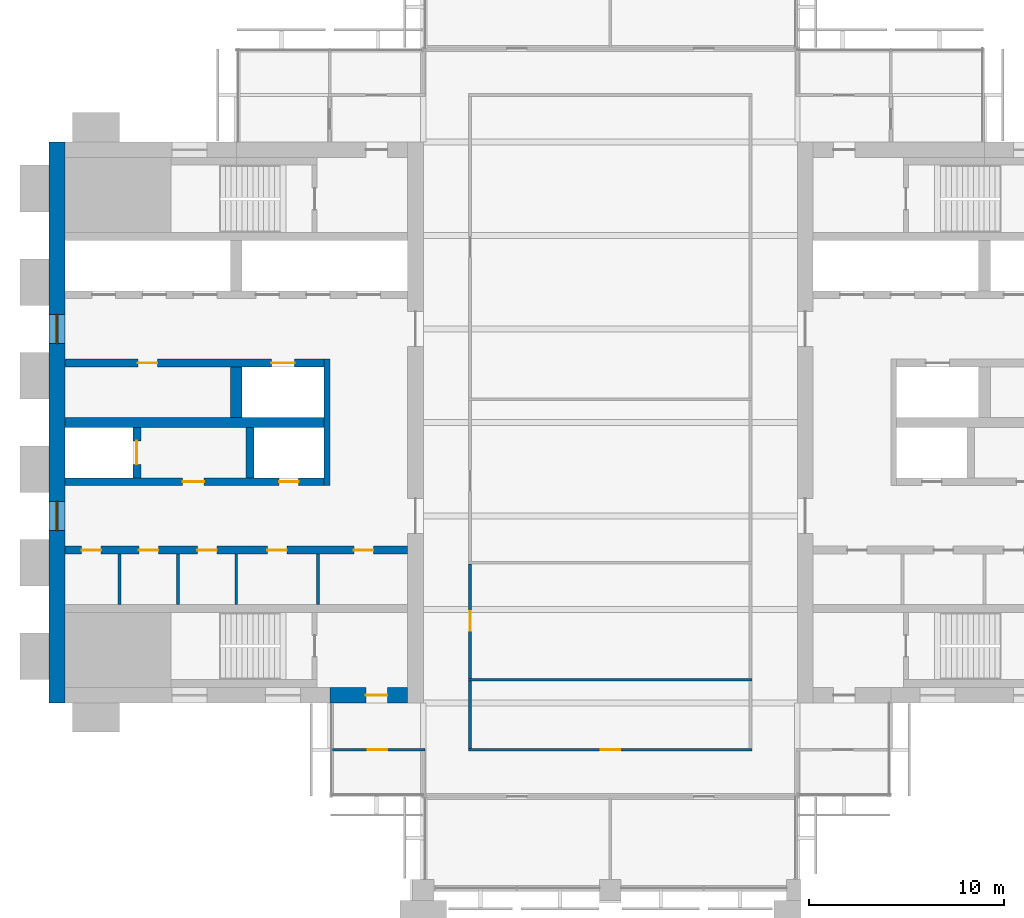
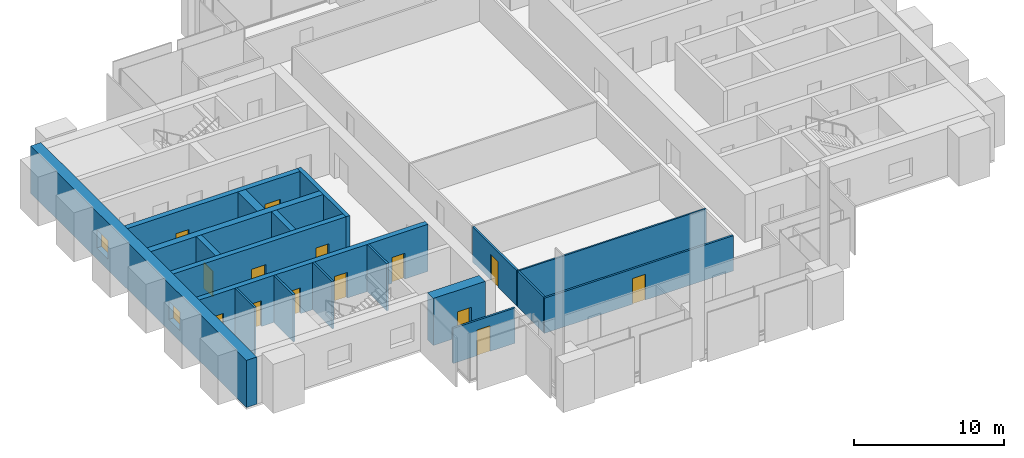
# One storey, part 8 of 13: 19 walls, 14 doors, 2 windows, 16 openings.
"""IFC4 building model written with IfcOpenShell, lengths in metres."""

from ifc_helpers import new_model, si_unit, direction, frame, frame_2d, origin, place, context, subcontext, project, spatial, rectangle, extrude, material, layer, layer_set, type_object, element, fill, save


model = new_model("IFC4")

# Units and contexts
model_context = context("Model", 3, precision=1e-05, world=origin(), true_north=direction((0.0, 1.0)))
body_context = subcontext(model_context, "Body", "Model", "MODEL_VIEW")
ifc_project = project(units=[si_unit("LENGTHUNIT", "METRE"), si_unit("AREAUNIT", "SQUARE_METRE"), si_unit("VOLUMEUNIT", "CUBIC_METRE"), si_unit("PLANEANGLEUNIT", "RADIAN"), si_unit("MASSUNIT", "GRAM", prefix="KILO")], contexts=[model_context])

# Site, building, storey
site_placement = place(None, origin())
site = spatial("IfcSite", under=ifc_project, at=site_placement, CompositionType="ELEMENT")
building_placement = place(site_placement, origin())
building = spatial("IfcBuilding", under=site, at=building_placement, Name="Baori Bourse Tower", CompositionType="ELEMENT")
storey_placement = place(building_placement, frame((0.0, 0.0, 249.199951171875)))
storey = spatial("IfcBuildingStorey", under=building, at=storey_placement, Name="L55", CompositionType="ELEMENT", Elevation=249.199951171875)

# Walls
ifc_material_1 = material(Name="Blockwork partition", Category="masonry")
ifc_layer_1 = layer(ifc_material_1, 0.14990234375)
ifc_layer_set_1 = layer_set([ifc_layer_1], Name="Core partition 150")
wall_type_1 = type_object("IfcWallType", Name="Core partition 150", PredefinedType="PARTITIONING", material=ifc_layer_set_1)
for number, where, z_axis, x_axis, name in (
    (1, (3.60009765625, 14.64990234375, 0.0), (0.0, 0.0, 1.0), (0.0, 1.0, 0.0), "Partition wall W09"),
    (2, (6.60009765625, 14.64990234375, 0.0), (0.0, 0.0, 1.0), (0.0, 1.0, 0.0), "Partition wall W10"),
    (3, (9.60009765625, 14.64990234375, 0.0), (0.0, 0.0, 1.0), (0.0, 1.0, 0.0), "Partition wall W11"),
    (4, (13.800048828125, 14.64990234375, 0.0), (0.0, 0.0, 1.0), (0.0, 1.0, 0.0), "Partition wall W12"),
):
    element("IfcWall", number, at=place(storey_placement, frame(where, z_axis=z_axis, x_axis=x_axis)), inside=storey, type_object=wall_type_1, Name=name, PredefinedType="PARTITIONING", context=body_context, shape_type="SweptSolid", body=[
        extrude(rectangle(XDim=2.60009765625, YDim=0.14990234375, at=frame_2d((1.300048828125, 0.0))), origin(), (0.0, 0.0, 1.0), 3.840087890625),
    ])

# Wall, openings, windows
ifc_material_2 = material(Name="Concrete f'c 50 MPa", Category="concrete")
ifc_layer_2 = layer(ifc_material_2, 0.800048828125)
ifc_layer_set_2 = layer_set([ifc_layer_2], Name="Core wall 800 f'c 50")
wall_type_2 = type_object("IfcWallType", Name="Core wall 800 f'c 50", PredefinedType="SHEAR", material=ifc_layer_set_2)
wall_1_placement = place(storey_placement, frame((0.39990234375, 9.60009765625, 0.0), z_axis=(0.0, 0.0, 1.0), x_axis=(0.0, 1.0, 0.0)))
wall_1 = element("IfcWall", 5, at=wall_1_placement, inside=storey, type_object=wall_type_2, Name="Core wall W01", PredefinedType="SHEAR", context=body_context, shape_type="SweptSolid", body=[
    extrude(rectangle(XDim=28.7998046875, YDim=0.800048828125, at=frame_2d((14.39990234375, 0.0))), origin(), (0.0, 0.0, 1.0), 3.840087890625),
])
opening_1_placement = place(wall_1_placement, frame((8.85009765625, 0.0, 0.89990234375)))
opening_1 = element("IfcOpeningElement", 6, at=opening_1_placement, cuts=wall_1, Name="Opening L55-KW101", PredefinedType="OPENING", context=body_context, shape_type="SweptSolid", body=[
    extrude(rectangle(XDim=1.5, YDim=1.5, at=frame_2d((0.75, 0.75))), frame((0.0, 0.409912109375, 0.0), z_axis=(0.0, -1.0, 0.0), x_axis=(1.0, 0.0, 0.0)), (0.0, 0.0, 1.0), 0.820068359375),
])
opening_2_placement = place(wall_1_placement, frame((18.449951171875, 0.0, 0.89990234375)))
opening_2 = element("IfcOpeningElement", 7, at=opening_2_placement, cuts=wall_1, Name="Opening L55-KW102", PredefinedType="OPENING", context=body_context, shape_type="SweptSolid", body=[
    extrude(rectangle(XDim=1.5, YDim=1.5, at=frame_2d((0.75, 0.75))), frame((0.0, 0.409912109375, 0.0), z_axis=(0.0, -1.0, 0.0), x_axis=(1.0, 0.0, 0.0)), (0.0, 0.0, 1.0), 0.820068359375),
])
ifc_material_3 = material(Name="Pale anodised aluminium", Category="aluminium")
window_type = type_object("IfcWindowType", Name="Lobby window 1500 x 1500", PartitioningType="SINGLE_PANEL", PredefinedType="WINDOW", material=ifc_material_3)
window_1_placement = place(opening_1_placement, origin())
window_1 = element("IfcWindow", 8, at=window_1_placement, inside=storey, type_object=window_type, Name="Outer wall window W L55 1", OverallHeight=1.5, OverallWidth=1.5, PartitioningType="SINGLE_PANEL", PredefinedType="WINDOW", context=body_context, shape_type="SweptSolid", body=[
    extrude(rectangle(XDim=1.5, YDim=1.5, at=frame_2d((0.75, 0.75))), frame((0.0, 0.030029296875, 0.0), z_axis=(0.0, -1.0, 0.0), x_axis=(1.0, 0.0, 0.0)), (0.0, 0.0, 1.0), 0.06005859375),
])
fill(opening_1, window_1)
window_2_placement = place(opening_2_placement, origin())
window_2 = element("IfcWindow", 9, at=window_2_placement, inside=storey, type_object=window_type, Name="Outer wall window W L55 2", OverallHeight=1.5, OverallWidth=1.5, PartitioningType="SINGLE_PANEL", PredefinedType="WINDOW", context=body_context, shape_type="SweptSolid", body=[
    extrude(rectangle(XDim=1.5, YDim=1.5, at=frame_2d((0.75, 0.75))), frame((0.0, 0.030029296875, 0.0), z_axis=(0.0, -1.0, 0.0), x_axis=(1.0, 0.0, 0.0)), (0.0, 0.0, 1.0), 0.06005859375),
])
fill(opening_2, window_2)

# Wall, opening, door
wall_2_placement = place(storey_placement, frame((18.39990234375, 10.0, 0.0), z_axis=(0.0, 0.0, 1.0), x_axis=(-1.0, 0.0, 0.0)))
wall_2 = element("IfcWall", 10, at=wall_2_placement, inside=storey, type_object=wall_type_2, Name="Core wall W03", PredefinedType="SHEAR", context=body_context, shape_type="SweptSolid", body=[
    extrude(rectangle(XDim=4.0, YDim=0.800048828125, at=frame_2d((2.0, 0.0))), origin(), (0.0, 0.0, 1.0), 3.840087890625),
])
opening_3_placement = place(wall_2_placement, frame((1.050048828125, 0.0, 0.0)))
opening_3 = element("IfcOpeningElement", 11, at=opening_3_placement, cuts=wall_2, Name="Opening L55-D102", PredefinedType="OPENING", context=body_context, shape_type="SweptSolid", body=[
    extrude(rectangle(XDim=1.10009765625, YDim=2.10009765625, at=frame_2d((0.550048828125, 1.050048828125))), frame((0.0, 0.409912109375, 0.0), z_axis=(0.0, -1.0, 0.0), x_axis=(1.0, 0.0, 0.0)), (0.0, 0.0, 1.0), 0.820068359375),
])
ifc_material_4 = material(Name="Painted steel door", Category="steel")
door_type_1 = type_object("IfcDoorType", Name="Stair door 1100", OperationType="SINGLE_SWING_LEFT", PredefinedType="DOOR", material=ifc_material_4)
door_1_placement = place(opening_3_placement, origin())
door_1 = element("IfcDoor", 12, at=door_1_placement, inside=storey, type_object=door_type_1, Name="Stair vestibule door A W L55", OperationType="SINGLE_SWING_LEFT", OverallHeight=2.10009765625, OverallWidth=1.10009765625, PredefinedType="DOOR", context=body_context, shape_type="SweptSolid", body=[
    extrude(rectangle(XDim=1.10009765625, YDim=2.10009765625, at=frame_2d((0.550048828125, 1.050048828125))), frame((0.0, 0.02490234375, 0.0), z_axis=(0.0, -1.0, 0.0), x_axis=(1.0, 0.0, 0.0)), (0.0, 0.0, 1.0), 0.050048828125),
])
fill(opening_3, door_1)

ifc_material_5 = material(Name="Gypsum board partition")
ifc_layer_3 = layer(ifc_material_5, 0.14990234375)
ifc_layer_set_3 = layer_set([ifc_layer_3], Name="Corridor partition 150")
wall_type_3 = type_object("IfcWallType", Name="Corridor partition 150", PredefinedType="PARTITIONING", material=ifc_layer_set_3)
wall_3_placement = place(storey_placement, frame((14.5, 7.199951171875, 0.0), z_axis=(0.0, 0.0, 1.0), x_axis=(1.0, 0.0, 0.0)))
wall_3 = element("IfcWall", 13, at=wall_3_placement, inside=storey, type_object=wall_type_3, Name="Partition", PredefinedType="PARTITIONING", context=body_context, shape_type="SweptSolid", body=[
    extrude(rectangle(XDim=4.77490234375, YDim=0.14990234375, at=frame_2d((2.387451171875, 0.0))), origin(), (0.0, 0.0, 1.0), 2.869873046875),
])
opening_4_placement = place(wall_3_placement, frame((1.85009765625, 0.0, 0.0)))
opening_4 = element("IfcOpeningElement", 14, at=opening_4_placement, cuts=wall_3, Name="Opening L55-D03", PredefinedType="OPENING", context=body_context, shape_type="SweptSolid", body=[
    extrude(rectangle(XDim=1.0, YDim=2.10009765625, at=frame_2d((0.5, 1.050048828125))), frame((0.0, 0.0849609375, 0.0), z_axis=(0.0, -1.0, 0.0), x_axis=(1.0, 0.0, 0.0)), (0.0, 0.0, 1.0), 0.169921875),
])
ifc_material_6 = material(Name="Timber door leaf", Category="wood")
door_type_2 = type_object("IfcDoorType", Name="Door 1000 x 2100", OperationType="SINGLE_SWING_LEFT", PredefinedType="DOOR", material=ifc_material_6)
door_2_placement = place(opening_4_placement, origin())
door_2 = element("IfcDoor", 15, at=door_2_placement, inside=storey, type_object=door_type_2, Name="Door", OperationType="SINGLE_SWING_LEFT", OverallHeight=2.10009765625, OverallWidth=1.0, PredefinedType="DOOR", context=body_context, shape_type="SweptSolid", body=[
    extrude(rectangle(XDim=1.0, YDim=2.10009765625, at=frame_2d((0.5, 1.050048828125))), frame((0.0, 0.02490234375, 0.0), z_axis=(0.0, -1.0, 0.0), x_axis=(1.0, 0.0, 0.0)), (0.0, 0.0, 1.0), 0.050048828125),
])
fill(opening_4, door_2)

wall_4_placement = place(storey_placement, frame((21.52490234375, 7.199951171875, 0.0), z_axis=(0.0, 0.0, 1.0), x_axis=(1.0, 0.0, 0.0)))
wall_4 = element("IfcWall", 16, at=wall_4_placement, inside=storey, type_object=wall_type_3, Name="Partition", PredefinedType="PARTITIONING", context=body_context, shape_type="SweptSolid", body=[
    extrude(rectangle(XDim=14.550048828125, YDim=0.14990234375, at=frame_2d((7.27490234375, 0.0))), origin(), (0.0, 0.0, 1.0), 2.869873046875),
])
opening_5_placement = place(wall_4_placement, frame((6.77490234375, 0.0, 0.0)))
opening_5 = element("IfcOpeningElement", 17, at=opening_5_placement, cuts=wall_4, Name="Opening L55-D04", PredefinedType="OPENING", context=body_context, shape_type="SweptSolid", body=[
    extrude(rectangle(XDim=1.0, YDim=2.10009765625, at=frame_2d((0.5, 1.050048828125))), frame((0.0, 0.0849609375, 0.0), z_axis=(0.0, -1.0, 0.0), x_axis=(1.0, 0.0, 0.0)), (0.0, 0.0, 1.0), 0.169921875),
])
door_3_placement = place(opening_5_placement, origin())
door_3 = element("IfcDoor", 18, at=door_3_placement, inside=storey, type_object=door_type_2, Name="Door", OperationType="SINGLE_SWING_RIGHT", OverallHeight=2.10009765625, OverallWidth=1.0, PredefinedType="DOOR", context=body_context, shape_type="SweptSolid", body=[
    extrude(rectangle(XDim=1.0, YDim=2.10009765625, at=frame_2d((0.5, 1.050048828125))), frame((0.0, 0.02490234375, 0.0), z_axis=(0.0, -1.0, 0.0), x_axis=(1.0, 0.0, 0.0)), (0.0, 0.0, 1.0), 0.050048828125),
])
fill(opening_5, door_3)

# Wall
wall_5_placement = place(storey_placement, frame((21.60009765625, 7.27490234375, 0.0), z_axis=(0.0, 0.0, 1.0), x_axis=(0.0, 1.0, 0.0)))
element("IfcWall", 19, at=wall_5_placement, inside=storey, type_object=wall_type_3, Name="Partition", PredefinedType="PARTITIONING", context=body_context, shape_type="SweptSolid", body=[
    extrude(rectangle(XDim=3.462646484375, YDim=0.14990234375, at=frame_2d((1.7314453125, 0.0))), origin(), (0.0, 0.0, 1.0), 2.869873046875),
])

# Wall, opening, door
wall_6_placement = place(storey_placement, frame((21.60009765625, 10.862548828125, 0.0), z_axis=(0.0, 0.0, 1.0), x_axis=(0.0, 1.0, 0.0)))
wall_6 = element("IfcWall", 20, at=wall_6_placement, inside=storey, type_object=wall_type_3, Name="Partition", PredefinedType="PARTITIONING", context=body_context, shape_type="SweptSolid", body=[
    extrude(rectangle(XDim=5.875, YDim=0.14990234375, at=frame_2d((2.9375, 0.0))), origin(), (0.0, 0.0, 1.0), 2.869873046875),
])
opening_6_placement = place(wall_6_placement, frame((2.4375, 0.0, 0.0)))
opening_6 = element("IfcOpeningElement", 21, at=opening_6_placement, cuts=wall_6, Name="Opening L55-D11", PredefinedType="OPENING", context=body_context, shape_type="SweptSolid", body=[
    extrude(rectangle(XDim=1.0, YDim=2.10009765625, at=frame_2d((0.5, 1.050048828125))), frame((0.0, 0.0849609375, 0.0), z_axis=(0.0, -1.0, 0.0), x_axis=(1.0, 0.0, 0.0)), (0.0, 0.0, 1.0), 0.169921875),
])
door_4_placement = place(opening_6_placement, origin())
door_4 = element("IfcDoor", 22, at=door_4_placement, inside=storey, type_object=door_type_2, Name="Door", OperationType="SINGLE_SWING_LEFT", OverallHeight=2.10009765625, OverallWidth=1.0, PredefinedType="DOOR", context=body_context, shape_type="SweptSolid", body=[
    extrude(rectangle(XDim=1.0, YDim=2.10009765625, at=frame_2d((0.5, 1.050048828125))), frame((0.0, 0.02490234375, 0.0), z_axis=(0.0, -1.0, 0.0), x_axis=(1.0, 0.0, 0.0)), (0.0, 0.0, 1.0), 0.050048828125),
])
fill(opening_6, door_4)

# Walls
ifc_material_7 = material(Name="Gypsum board partition")
ifc_layer_4 = layer(ifc_material_7, 0.125)
ifc_layer_set_4 = layer_set([ifc_layer_4], Name="Partition 125")
wall_type_4 = type_object("IfcWallType", Name="Partition 125", PredefinedType="PARTITIONING", material=ifc_layer_set_4)
wall_7_placement = place(storey_placement, frame((21.52490234375, 10.800048828125, 0.0), z_axis=(0.0, 0.0, 1.0), x_axis=(1.0, 0.0, 0.0)))
element("IfcWall", 23, at=wall_7_placement, inside=storey, type_object=wall_type_4, Name="Partition", PredefinedType="PARTITIONING", context=body_context, shape_type="SweptSolid", body=[
    extrude(rectangle(XDim=14.550048828125, YDim=0.125, at=frame_2d((7.27490234375, 0.0))), origin(), (0.0, 0.0, 1.0), 2.869873046875),
])
ifc_material_8 = material(Name="Concrete f'c 50 MPa", Category="concrete")
ifc_layer_5 = layer(ifc_material_8, 0.300048828125)
ifc_layer_set_5 = layer_set([ifc_layer_5], Name="Shaft wall 300 f'c 50")
wall_type_5 = type_object("IfcWallType", Name="Shaft wall 300 f'c 50", PredefinedType="SHEAR", material=ifc_layer_set_5)
wall_8_placement = place(storey_placement, frame((14.25, 20.75, 0.0), z_axis=(0.0, 0.0, 1.0), x_axis=(0.0, 1.0, 0.0)))
element("IfcWall", 24, at=wall_8_placement, inside=storey, type_object=wall_type_5, Name="Core wall W15", PredefinedType="SHEAR", context=body_context, shape_type="SweptSolid", body=[
    extrude(rectangle(XDim=6.5, YDim=0.300048828125, at=frame_2d((3.25, 0.0))), origin(), (0.0, 0.0, 1.0), 3.840087890625),
])

# Wall, openings, doors
ifc_material_9 = material(Name="Concrete f'c 50 MPa", Category="concrete")
ifc_layer_6 = layer(ifc_material_9, 0.39990234375)
ifc_layer_set_6 = layer_set([ifc_layer_6], Name="Shaft wall 400 f'c 50")
wall_type_6 = type_object("IfcWallType", Name="Shaft wall 400 f'c 50", PredefinedType="SHEAR", material=ifc_layer_set_6)
wall_9_placement = place(storey_placement, frame((0.800048828125, 17.449951171875, 0.0), z_axis=(0.0, 0.0, 1.0), x_axis=(1.0, 0.0, 0.0)))
wall_9 = element("IfcWall", 25, at=wall_9_placement, inside=storey, type_object=wall_type_6, Name="Core wall W13", PredefinedType="SHEAR", context=body_context, shape_type="SweptSolid", body=[
    extrude(rectangle(XDim=17.599853515625, YDim=0.39990234375, at=frame_2d((8.7998046875, 0.0))), origin(), (0.0, 0.0, 1.0), 3.840087890625),
])
opening_7_placement = place(wall_9_placement, frame((0.862548828125, 0.0, 0.0)))
opening_7 = element("IfcOpeningElement", 26, at=opening_7_placement, cuts=wall_9, Name="Opening L55-D109", PredefinedType="OPENING", context=body_context, shape_type="SweptSolid", body=[
    extrude(rectangle(XDim=1.0, YDim=2.10009765625, at=frame_2d((0.5, 1.050048828125))), frame((0.0, 0.2099609375, 0.0), z_axis=(0.0, -1.0, 0.0), x_axis=(1.0, 0.0, 0.0)), (0.0, 0.0, 1.0), 0.419921875),
])
opening_8_placement = place(wall_9_placement, frame((3.800048828125, 0.0, 0.0)))
opening_8 = element("IfcOpeningElement", 27, at=opening_8_placement, cuts=wall_9, Name="Opening L55-D110", PredefinedType="OPENING", context=body_context, shape_type="SweptSolid", body=[
    extrude(rectangle(XDim=1.0, YDim=2.10009765625, at=frame_2d((0.5, 1.050048828125))), frame((0.0, 0.2099609375, 0.0), z_axis=(0.0, -1.0, 0.0), x_axis=(1.0, 0.0, 0.0)), (0.0, 0.0, 1.0), 0.419921875),
])
opening_9_placement = place(wall_9_placement, frame((6.800048828125, 0.0, 0.0)))
opening_9 = element("IfcOpeningElement", 28, at=opening_9_placement, cuts=wall_9, Name="Opening L55-D111", PredefinedType="OPENING", context=body_context, shape_type="SweptSolid", body=[
    extrude(rectangle(XDim=1.0, YDim=2.10009765625, at=frame_2d((0.5, 1.050048828125))), frame((0.0, 0.2099609375, 0.0), z_axis=(0.0, -1.0, 0.0), x_axis=(1.0, 0.0, 0.0)), (0.0, 0.0, 1.0), 0.419921875),
])
opening_10_placement = place(wall_9_placement, frame((10.39990234375, 0.0, 0.0)))
opening_10 = element("IfcOpeningElement", 29, at=opening_10_placement, cuts=wall_9, Name="Opening L55-D112", PredefinedType="OPENING", context=body_context, shape_type="SweptSolid", body=[
    extrude(rectangle(XDim=1.0, YDim=2.10009765625, at=frame_2d((0.5, 1.050048828125))), frame((0.0, 0.2099609375, 0.0), z_axis=(0.0, -1.0, 0.0), x_axis=(1.0, 0.0, 0.0)), (0.0, 0.0, 1.0), 0.419921875),
])
opening_11_placement = place(wall_9_placement, frame((14.83740234375, 0.0, 0.0)))
opening_11 = element("IfcOpeningElement", 30, at=opening_11_placement, cuts=wall_9, Name="Opening L55-D113", PredefinedType="OPENING", context=body_context, shape_type="SweptSolid", body=[
    extrude(rectangle(XDim=1.0, YDim=2.10009765625, at=frame_2d((0.5, 1.050048828125))), frame((0.0, 0.2099609375, 0.0), z_axis=(0.0, -1.0, 0.0), x_axis=(1.0, 0.0, 0.0)), (0.0, 0.0, 1.0), 0.419921875),
])
ifc_material_10 = material(Name="Painted steel door", Category="steel")
door_type_3 = type_object("IfcDoorType", Name="Core door 1000", OperationType="SINGLE_SWING_LEFT", PredefinedType="DOOR", material=ifc_material_10)
door_5_placement = place(opening_7_placement, origin())
door_5 = element("IfcDoor", 31, at=door_5_placement, inside=storey, type_object=door_type_3, Name="Janitor'S Closet door W L55", OperationType="SINGLE_SWING_LEFT", OverallHeight=2.10009765625, OverallWidth=1.0, PredefinedType="DOOR", context=body_context, shape_type="SweptSolid", body=[
    extrude(rectangle(XDim=1.0, YDim=2.10009765625, at=frame_2d((0.5, 1.050048828125))), frame((0.0, 0.02490234375, 0.0), z_axis=(0.0, -1.0, 0.0), x_axis=(1.0, 0.0, 0.0)), (0.0, 0.0, 1.0), 0.050048828125),
])
fill(opening_7, door_5)
door_6_placement = place(opening_8_placement, origin())
door_6 = element("IfcDoor", 32, at=door_6_placement, inside=storey, type_object=door_type_3, Name="Accessible Wc door W L55", OperationType="SINGLE_SWING_LEFT", OverallHeight=2.10009765625, OverallWidth=1.0, PredefinedType="DOOR", context=body_context, shape_type="SweptSolid", body=[
    extrude(rectangle(XDim=1.0, YDim=2.10009765625, at=frame_2d((0.5, 1.050048828125))), frame((0.0, 0.02490234375, 0.0), z_axis=(0.0, -1.0, 0.0), x_axis=(1.0, 0.0, 0.0)), (0.0, 0.0, 1.0), 0.050048828125),
])
fill(opening_8, door_6)
door_7_placement = place(opening_10_placement, origin())
door_7 = element("IfcDoor", 33, at=door_7_placement, inside=storey, type_object=door_type_3, Name="Men'S Wc door W L55", OperationType="SINGLE_SWING_LEFT", OverallHeight=2.10009765625, OverallWidth=1.0, PredefinedType="DOOR", context=body_context, shape_type="SweptSolid", body=[
    extrude(rectangle(XDim=1.0, YDim=2.10009765625, at=frame_2d((0.5, 1.050048828125))), frame((0.0, 0.02490234375, 0.0), z_axis=(0.0, -1.0, 0.0), x_axis=(1.0, 0.0, 0.0)), (0.0, 0.0, 1.0), 0.050048828125),
])
fill(opening_10, door_7)
door_8_placement = place(opening_11_placement, origin())
door_8 = element("IfcDoor", 34, at=door_8_placement, inside=storey, type_object=door_type_3, Name="Women'S Wc door W L55", OperationType="SINGLE_SWING_LEFT", OverallHeight=2.10009765625, OverallWidth=1.0, PredefinedType="DOOR", context=body_context, shape_type="SweptSolid", body=[
    extrude(rectangle(XDim=1.0, YDim=2.10009765625, at=frame_2d((0.5, 1.050048828125))), frame((0.0, 0.02490234375, 0.0), z_axis=(0.0, -1.0, 0.0), x_axis=(1.0, 0.0, 0.0)), (0.0, 0.0, 1.0), 0.050048828125),
])
fill(opening_11, door_8)
ifc_material_11 = material(Name="Painted steel door", Category="steel")
door_type_4 = type_object("IfcDoorType", Name="Plant room door 1000", OperationType="SINGLE_SWING_LEFT", PredefinedType="DOOR", material=ifc_material_11)
door_9_placement = place(opening_9_placement, origin())
door_9 = element("IfcDoor", 35, at=door_9_placement, inside=storey, type_object=door_type_4, Name="Plumbing Equipment Room door W L55", OperationType="SINGLE_SWING_LEFT", OverallHeight=2.10009765625, OverallWidth=1.0, PredefinedType="DOOR", context=body_context, shape_type="SweptSolid", body=[
    extrude(rectangle(XDim=1.0, YDim=2.10009765625, at=frame_2d((0.5, 1.050048828125))), frame((0.0, 0.02490234375, 0.0), z_axis=(0.0, -1.0, 0.0), x_axis=(1.0, 0.0, 0.0)), (0.0, 0.0, 1.0), 0.050048828125),
])
fill(opening_9, door_9)

wall_10_placement = place(storey_placement, frame((0.800048828125, 20.949951171875, 0.0), z_axis=(0.0, 0.0, 1.0), x_axis=(1.0, 0.0, 0.0)))
wall_10 = element("IfcWall", 36, at=wall_10_placement, inside=storey, type_object=wall_type_6, Name="Core wall W14", PredefinedType="SHEAR", context=body_context, shape_type="SweptSolid", body=[
    extrude(rectangle(XDim=13.300048828125, YDim=0.39990234375, at=frame_2d((6.64990234375, 0.0))), origin(), (0.0, 0.0, 1.0), 3.840087890625),
])
opening_12_placement = place(wall_10_placement, frame((6.050048828125, 0.0, 0.0)))
opening_12 = element("IfcOpeningElement", 37, at=opening_12_placement, cuts=wall_10, Name="Opening L55-D105", PredefinedType="OPENING", context=body_context, shape_type="SweptSolid", body=[
    extrude(rectangle(XDim=1.10009765625, YDim=2.10009765625, at=frame_2d((0.550048828125, 1.050048828125))), frame((0.0, 0.2099609375, 0.0), z_axis=(0.0, -1.0, 0.0), x_axis=(1.0, 0.0, 0.0)), (0.0, 0.0, 1.0), 0.419921875),
])
opening_13_placement = place(wall_10_placement, frame((11.0, 0.0, 0.0)))
opening_13 = element("IfcOpeningElement", 38, at=opening_13_placement, cuts=wall_10, Name="Opening L55-D106", PredefinedType="OPENING", context=body_context, shape_type="SweptSolid", body=[
    extrude(rectangle(XDim=1.0, YDim=2.10009765625, at=frame_2d((0.5, 1.050048828125))), frame((0.0, 0.2099609375, 0.0), z_axis=(0.0, -1.0, 0.0), x_axis=(1.0, 0.0, 0.0)), (0.0, 0.0, 1.0), 0.419921875),
])
ifc_material_12 = material(Name="Painted steel door", Category="steel")
door_type_5 = type_object("IfcDoorType", Name="Lobby door 1100", OperationType="SINGLE_SWING_LEFT", PredefinedType="DOOR", material=ifc_material_12)
door_10_placement = place(opening_12_placement, origin())
door_10 = element("IfcDoor", 39, at=door_10_placement, inside=storey, type_object=door_type_5, Name="Firefighting lobby door W L55", OperationType="SINGLE_SWING_LEFT", OverallHeight=2.10009765625, OverallWidth=1.10009765625, PredefinedType="DOOR", context=body_context, shape_type="SweptSolid", body=[
    extrude(rectangle(XDim=1.10009765625, YDim=2.10009765625, at=frame_2d((0.550048828125, 1.050048828125))), frame((0.0, 0.02490234375, 0.0), z_axis=(0.0, -1.0, 0.0), x_axis=(1.0, 0.0, 0.0)), (0.0, 0.0, 1.0), 0.050048828125),
])
fill(opening_12, door_10)
ifc_material_13 = material(Name="Painted steel door", Category="steel")
door_type_6 = type_object("IfcDoorType", Name="Shaft door 1000", OperationType="SINGLE_SWING_LEFT", PredefinedType="DOOR", material=ifc_material_13)
door_11_placement = place(opening_13_placement, origin())
door_11 = element("IfcDoor", 40, at=door_11_placement, inside=storey, type_object=door_type_6, Name="Riser room door W L55", OperationType="SINGLE_SWING_LEFT", OverallHeight=2.10009765625, OverallWidth=1.0, PredefinedType="DOOR", context=body_context, shape_type="SweptSolid", body=[
    extrude(rectangle(XDim=1.0, YDim=2.10009765625, at=frame_2d((0.5, 1.050048828125))), frame((0.0, 0.02490234375, 0.0), z_axis=(0.0, -1.0, 0.0), x_axis=(1.0, 0.0, 0.0)), (0.0, 0.0, 1.0), 0.050048828125),
])
fill(opening_13, door_11)

# Wall, opening, door
wall_11_placement = place(storey_placement, frame((4.5, 21.14990234375, 0.0), z_axis=(0.0, 0.0, 1.0), x_axis=(0.0, 1.0, 0.0)))
wall_11 = element("IfcWall", 41, at=wall_11_placement, inside=storey, type_object=wall_type_6, Name="Core wall W16", PredefinedType="SHEAR", context=body_context, shape_type="SweptSolid", body=[
    extrude(rectangle(XDim=2.60009765625, YDim=0.39990234375, at=frame_2d((1.300048828125, 0.0))), origin(), (0.0, 0.0, 1.0), 3.840087890625),
])
opening_14_placement = place(wall_11_placement, frame((0.699951171875, 0.0, 0.0)))
opening_14 = element("IfcOpeningElement", 42, at=opening_14_placement, cuts=wall_11, Name="Opening L55-D122", PredefinedType="OPENING", context=body_context, shape_type="SweptSolid", body=[
    extrude(rectangle(XDim=1.199951171875, YDim=2.10009765625, at=frame_2d((0.60009765625, 1.050048828125))), frame((0.0, 0.2099609375, 0.0), z_axis=(0.0, -1.0, 0.0), x_axis=(1.0, 0.0, 0.0)), (0.0, 0.0, 1.0), 0.419921875),
])
ifc_material_14 = material(Name="Stainless steel door", Category="steel")
door_type_7 = type_object("IfcDoorType", Name="Lift landing door", OperationType="DOUBLE_DOOR_SLIDING", PredefinedType="DOOR", material=ifc_material_14)
door_12_placement = place(opening_14_placement, origin())
door_12 = element("IfcDoor", 43, at=door_12_placement, inside=storey, type_object=door_type_7, Name="Lift landing door FF1 W L55", OperationType="DOUBLE_DOOR_SLIDING", OverallHeight=2.10009765625, OverallWidth=1.199951171875, PredefinedType="DOOR", context=body_context, shape_type="SweptSolid", body=[
    extrude(rectangle(XDim=1.199951171875, YDim=2.10009765625, at=frame_2d((0.60009765625, 1.050048828125))), frame((0.0, 0.02490234375, 0.0), z_axis=(0.0, -1.0, 0.0), x_axis=(1.0, 0.0, 0.0)), (0.0, 0.0, 1.0), 0.050048828125),
])
fill(opening_14, door_12)

# Wall
wall_12_placement = place(storey_placement, frame((10.300048828125, 21.14990234375, 0.0), z_axis=(0.0, 0.0, 1.0), x_axis=(0.0, 1.0, 0.0)))
element("IfcWall", 44, at=wall_12_placement, inside=storey, type_object=wall_type_6, Name="Core wall W17", PredefinedType="SHEAR", context=body_context, shape_type="SweptSolid", body=[
    extrude(rectangle(XDim=2.60009765625, YDim=0.39990234375, at=frame_2d((1.300048828125, 0.0))), origin(), (0.0, 0.0, 1.0), 3.840087890625),
])

# Wall, openings, doors
wall_13_placement = place(storey_placement, frame((0.800048828125, 27.050048828125, 0.0), z_axis=(0.0, 0.0, 1.0), x_axis=(1.0, 0.0, 0.0)))
wall_13 = element("IfcWall", 45, at=wall_13_placement, inside=storey, type_object=wall_type_6, Name="Core wall W20", PredefinedType="SHEAR", context=body_context, shape_type="SweptSolid", body=[
    extrude(rectangle(XDim=13.300048828125, YDim=0.39990234375, at=frame_2d((6.64990234375, 0.0))), origin(), (0.0, 0.0, 1.0), 3.840087890625),
])
opening_15_placement = place(wall_13_placement, frame((3.75, 0.0, 0.0)))
opening_15 = element("IfcOpeningElement", 46, at=opening_15_placement, cuts=wall_13, Name="Opening L55-D114", PredefinedType="OPENING", context=body_context, shape_type="SweptSolid", body=[
    extrude(rectangle(XDim=1.0, YDim=2.10009765625, at=frame_2d((0.5, 1.050048828125))), frame((0.0, 0.2099609375, 0.0), z_axis=(0.0, -1.0, 0.0), x_axis=(1.0, 0.0, 0.0)), (0.0, 0.0, 1.0), 0.419921875),
])
opening_16_placement = place(wall_13_placement, frame((10.60009765625, 0.0, 0.0)))
opening_16 = element("IfcOpeningElement", 47, at=opening_16_placement, cuts=wall_13, Name="Opening L55-D121", PredefinedType="OPENING", context=body_context, shape_type="SweptSolid", body=[
    extrude(rectangle(XDim=1.199951171875, YDim=2.10009765625, at=frame_2d((0.60009765625, 1.050048828125))), frame((0.0, 0.2099609375, 0.0), z_axis=(0.0, -1.0, 0.0), x_axis=(1.0, 0.0, 0.0)), (0.0, 0.0, 1.0), 0.419921875),
])
door_13_placement = place(opening_15_placement, origin())
door_13 = element("IfcDoor", 48, at=door_13_placement, inside=storey, type_object=door_type_3, Name="Copy Room door W L55", OperationType="SINGLE_SWING_LEFT", OverallHeight=2.10009765625, OverallWidth=1.0, PredefinedType="DOOR", context=body_context, shape_type="SweptSolid", body=[
    extrude(rectangle(XDim=1.0, YDim=2.10009765625, at=frame_2d((0.5, 1.050048828125))), frame((0.0, 0.02490234375, 0.0), z_axis=(0.0, -1.0, 0.0), x_axis=(1.0, 0.0, 0.0)), (0.0, 0.0, 1.0), 0.050048828125),
])
fill(opening_15, door_13)
door_14_placement = place(opening_16_placement, origin())
door_14 = element("IfcDoor", 49, at=door_14_placement, inside=storey, type_object=door_type_7, Name="Lift landing door SV1 W L55", OperationType="DOUBLE_DOOR_SLIDING", OverallHeight=2.10009765625, OverallWidth=1.199951171875, PredefinedType="DOOR", context=body_context, shape_type="SweptSolid", body=[
    extrude(rectangle(XDim=1.199951171875, YDim=2.10009765625, at=frame_2d((0.60009765625, 1.050048828125))), frame((0.0, 0.02490234375, 0.0), z_axis=(0.0, -1.0, 0.0), x_axis=(1.0, 0.0, 0.0)), (0.0, 0.0, 1.0), 0.050048828125),
])
fill(opening_16, door_14)

# Walls
ifc_material_15 = material(Name="Concrete f'c 50 MPa", Category="concrete")
ifc_layer_7 = layer(ifc_material_15, 0.5)
ifc_layer_set_7 = layer_set([ifc_layer_7], Name="Shaft wall 500 f'c 50")
wall_type_7 = type_object("IfcWallType", Name="Shaft wall 500 f'c 50", PredefinedType="SHEAR", material=ifc_layer_set_7)
wall_14_placement = place(storey_placement, frame((0.800048828125, 24.0, 0.0), z_axis=(0.0, 0.0, 1.0), x_axis=(1.0, 0.0, 0.0)))
element("IfcWall", 50, at=wall_14_placement, inside=storey, type_object=wall_type_7, Name="Core wall W18", PredefinedType="SHEAR", context=body_context, shape_type="SweptSolid", body=[
    extrude(rectangle(XDim=13.300048828125, YDim=0.5, at=frame_2d((6.64990234375, 0.0))), origin(), (0.0, 0.0, 1.0), 3.840087890625),
])
ifc_material_16 = material(Name="Concrete f'c 50 MPa", Category="concrete")
ifc_layer_8 = layer(ifc_material_16, 0.60009765625)
ifc_layer_set_8 = layer_set([ifc_layer_8], Name="Shaft wall 600 f'c 50")
wall_type_8 = type_object("IfcWallType", Name="Shaft wall 600 f'c 50", PredefinedType="SHEAR", material=ifc_layer_set_8)
wall_15_placement = place(storey_placement, frame((9.60009765625, 24.25, 0.0), z_axis=(0.0, 0.0, 1.0), x_axis=(0.0, 1.0, 0.0)))
element("IfcWall", 51, at=wall_15_placement, inside=storey, type_object=wall_type_8, Name="Core wall W19", PredefinedType="SHEAR", context=body_context, shape_type="SweptSolid", body=[
    extrude(rectangle(XDim=2.60009765625, YDim=0.60009765625, at=frame_2d((1.300048828125, 0.0))), origin(), (0.0, 0.0, 1.0), 3.840087890625),
])

save(model, "model.ifc")
